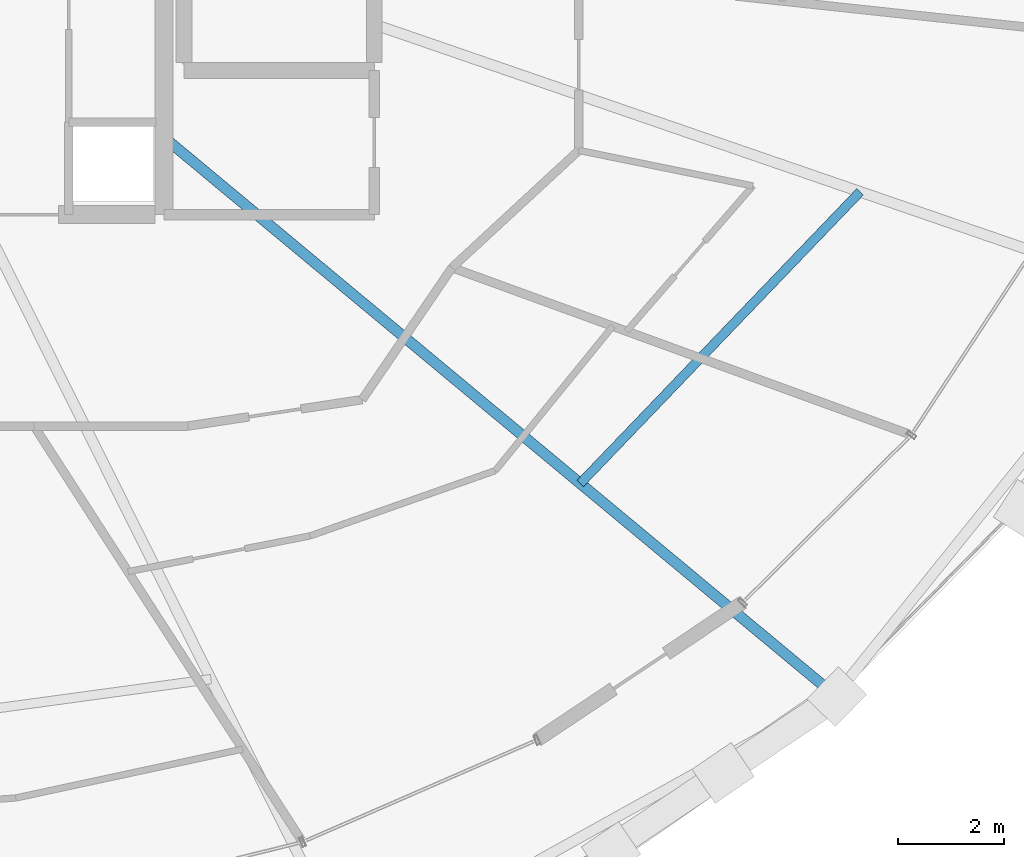
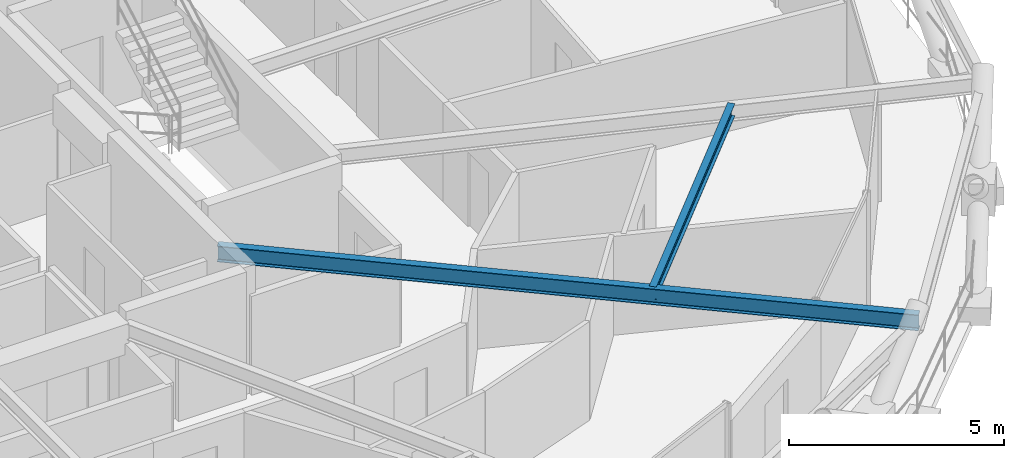
# One storey, part 8 of 19: 2 beams.
"""IFC4 building model written with IfcOpenShell, lengths in metres."""

from ifc_helpers import new_model, si_unit, direction, frame, origin, origin_2d, place, context, subcontext, project, spatial, i_section, extrude, material, material_profile, profile_set, type_object, element, save


model = new_model("IFC4")

# Units and contexts
model_context = context("Model", 3, precision=1e-05, world=origin(), true_north=direction((0.0, 1.0)))
body_context = subcontext(model_context, "Body", "Model", "MODEL_VIEW")
ifc_project = project(units=[si_unit("LENGTHUNIT", "METRE"), si_unit("AREAUNIT", "SQUARE_METRE"), si_unit("VOLUMEUNIT", "CUBIC_METRE"), si_unit("PLANEANGLEUNIT", "RADIAN"), si_unit("MASSUNIT", "GRAM", prefix="KILO")], contexts=[model_context])

# Site, building, storey
site_placement = place(None, origin())
site = spatial("IfcSite", under=ifc_project, at=site_placement, CompositionType="ELEMENT")
building_placement = place(site_placement, origin())
building = spatial("IfcBuilding", under=site, at=building_placement, Name="Veldorina Hangang Commons", CompositionType="ELEMENT")
storey_placement = place(building_placement, frame((0.0, 0.0, 160.39990234375)))
storey = spatial("IfcBuildingStorey", under=building, at=storey_placement, Name="L41", CompositionType="ELEMENT", Elevation=160.39990234375)

# Beams
ifc_material = material(Name="Steel SM355-TMC", Category="steel")
ifc_material_profile_1 = material_profile(ifc_material, i_section(OverallWidth=0.199951171875, OverallDepth=0.449951171875, WebThickness=0.009033203125, FlangeThickness=0.013916015625, FilletRadius=0.01611328125, at=origin_2d()), Name="H-450x200x9x14")
ifc_profile_set_1 = profile_set([ifc_material_profile_1], Name="Steel SM355-TMC")
beam_type_1 = type_object("IfcBeamType", Name="BM-FG450", PredefinedType="BEAM", material=ifc_profile_set_1)
beam_1_placement = place(storey_placement, frame((39.199951171875, 18.013671875, 3.125), z_axis=(0.768935425867, -0.639326450921, 0.0), x_axis=(0.639326450921, 0.768935425867, 0.0)))
element("IfcBeam", 1, at=beam_1_placement, inside=storey, type_object=beam_type_1, Name="L41 radial floor girder 15", PredefinedType="BEAM", context=body_context, shape_type="SweptSolid", body=[
    extrude(i_section(OverallWidth=0.199951171875, OverallDepth=0.449951171875, WebThickness=0.009033203125, FlangeThickness=0.013916015625, FilletRadius=0.01611328125, at=origin_2d()), origin(), (0.0, 0.0, 1.0), 16.521728515625),
])
ifc_material_profile_2 = material_profile(ifc_material, i_section(OverallWidth=0.175048828125, OverallDepth=0.35009765625, WebThickness=0.007080078125, FlangeThickness=0.010986328125, FilletRadius=0.012939453125, at=origin_2d()), Name="H-350x175x7x11")
ifc_profile_set_2 = profile_set([ifc_material_profile_2], Name="Steel SM355-TMC")
beam_type_2 = type_object("IfcBeamType", Name="BM-JST350", PredefinedType="JOIST", material=ifc_profile_set_2)
beam_2_placement = place(storey_placement, frame((47.076416015625, 11.464599609375, 3.175048828125), z_axis=(0.692337131341, 0.721574179532, 0.0), x_axis=(-0.721574179532, 0.692337131341, 0.0)))
element("IfcBeam", 2, at=beam_2_placement, inside=storey, type_object=beam_type_2, Name="L41 secondary floor joist 15", PredefinedType="JOIST", context=body_context, shape_type="SweptSolid", body=[
    extrude(i_section(OverallWidth=0.175048828125, OverallDepth=0.35009765625, WebThickness=0.007080078125, FlangeThickness=0.010986328125, FilletRadius=0.012939453125, at=origin_2d()), origin(), (0.0, 0.0, 1.0), 7.64892578125),
])

save(model, "model.ifc")
